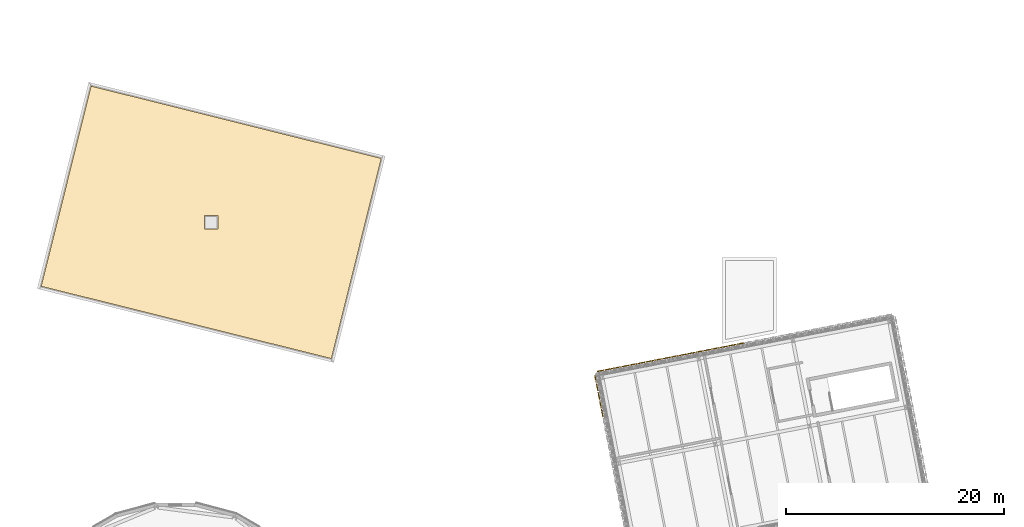
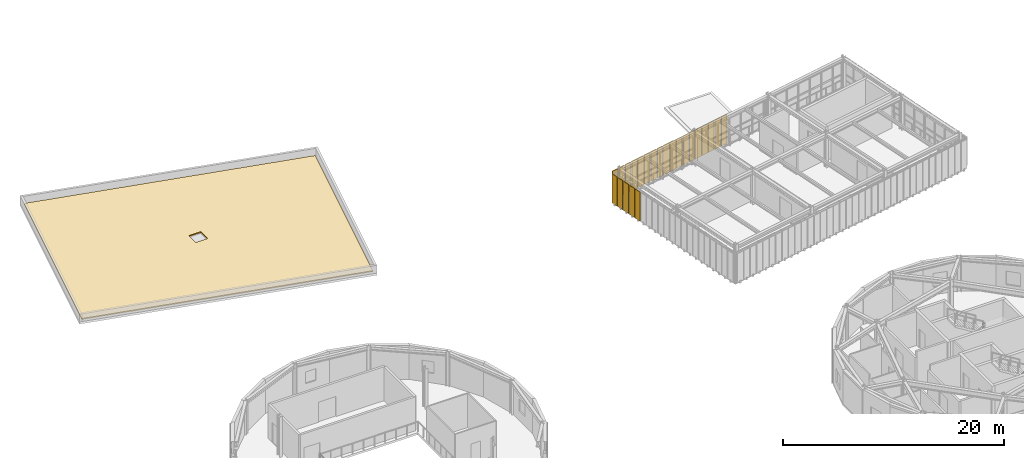
# One storey, part 42 of 44: 23 shading devices, 1 covering.
"""IFC4 building model written with IfcOpenShell, lengths in metres."""

from ifc_helpers import new_model, si_unit, direction, frame, origin, origin_2d, place, context, subcontext, project, spatial, polyline, rectangle, outline, extrude, material, layer, layer_set, type_object, element, save


model = new_model("IFC4")

# Units and contexts
model_context = context("Model", 3, precision=1e-05, world=origin(), true_north=direction((0.0, 1.0)))
body_context = subcontext(model_context, "Body", "Model", "MODEL_VIEW")
ifc_project = project(units=[si_unit("LENGTHUNIT", "METRE"), si_unit("AREAUNIT", "SQUARE_METRE"), si_unit("VOLUMEUNIT", "CUBIC_METRE"), si_unit("PLANEANGLEUNIT", "RADIAN"), si_unit("MASSUNIT", "GRAM", prefix="KILO")], contexts=[model_context])

# Site, building, storey
site_placement = place(None, origin())
site = spatial("IfcSite", under=ifc_project, at=site_placement, CompositionType="ELEMENT")
building_placement = place(site_placement, origin())
building = spatial("IfcBuilding", under=site, at=building_placement, Name="Varnklinge Art Gallery", CompositionType="ELEMENT")
storey_placement = place(building_placement, frame((0.0, 0.0, 13.679931640625)))
storey = spatial("IfcBuildingStorey", under=building, at=storey_placement, Name="L03", CompositionType="ELEMENT", Elevation=13.679931640625)

# Covering
ifc_material_1 = material(Name="EPDM & Intensive Green Roof Build-up", Category="membrane")
ifc_layer_1 = layer(ifc_material_1, 0.1201171875)
ifc_layer_set_1 = layer_set([ifc_layer_1], Name="EPDM & Intensive Green Roof Build-up")
covering_type = type_object("IfcCoveringType", Name="RFG-GRN", PredefinedType="ROOFING", material=ifc_layer_set_1)
covering_placement = place(storey_placement, origin())
element("IfcCovering", 1, at=covering_placement, inside=storey, type_object=covering_type, Name="L03 Roof Covering 03", PredefinedType="ROOFING", context=body_context, shape_type="SweptSolid", body=[
    extrude(outline(polyline([(36.0068359375, 79.516357421875), (40.5791015625, 97.85498046875), (13.9931640625, 104.483642578125), (9.4208984375, 86.14501953125), (36.0068359375, 79.516357421875)]), holes=[polyline([(25.6298828125, 91.3701171875), (25.6298828125, 92.6298828125), (24.3701171875, 92.6298828125), (24.3701171875, 91.3701171875), (25.6298828125, 91.3701171875)])]), origin(), (0.0, 0.0, 1.0), 0.1201171875),
])

# Shading devices
ifc_material_2 = material(Name="Perforated Aluminium-Precast Lattice", Category="concrete")
ifc_layer_2 = layer(ifc_material_2, 0.06005859375)
ifc_layer_set_2 = layer_set([ifc_layer_2], Name="Perforated Aluminium-Precast Lattice")
shading_device_type = type_object("IfcShadingDeviceType", Name="SHD-LAT", PredefinedType="USERDEFINED", material=ifc_layer_set_2)
for number, where, z_axis, x_axis, name in (
    (2, (73.47900390625, 80.888427734375, 0.10009765625), (0.0, 0.0, 1.0), (-0.981627183448, -0.190808995377, 0.0), "L03 Perforated Lattice Screen 3.3.1"),
    (3, (72.726318359375, 80.7421875, 0.10009765625), (0.0, 0.0, 1.0), (-0.981627183448, -0.190808995377, 0.0), "L03 Perforated Lattice Screen 3.3.2"),
    (4, (71.973876953125, 80.595947265625, 0.10009765625), (0.0, 0.0, 1.0), (-0.981627183448, -0.190808995377, 0.0), "L03 Perforated Lattice Screen 3.3.3"),
    (5, (71.22119140625, 80.44970703125, 0.10009765625), (0.0, 0.0, 1.0), (-0.981627183448, -0.190808995377, 0.0), "L03 Perforated Lattice Screen 3.3.4"),
    (6, (70.468505859375, 80.30322265625, 0.10009765625), (0.0, 0.0, 1.0), (-0.981627183448, -0.190808995377, 0.0), "L03 Perforated Lattice Screen 3.3.5"),
    (7, (69.716064453125, 80.156982421875, 0.10009765625), (0.0, 0.0, 1.0), (-0.981627183448, -0.190808995377, 0.0), "L03 Perforated Lattice Screen 3.3.6"),
    (8, (68.96337890625, 80.0107421875, 0.10009765625), (0.0, 0.0, 1.0), (-0.981627183448, -0.190808995377, 0.0), "L03 Perforated Lattice Screen 3.3.7"),
    (9, (68.210693359375, 79.864501953125, 0.10009765625), (0.0, 0.0, 1.0), (-0.981627183448, -0.190808995377, 0.0), "L03 Perforated Lattice Screen 3.3.8"),
    (10, (67.458251953125, 79.71826171875, 0.10009765625), (0.0, 0.0, 1.0), (-0.981627183448, -0.190808995377, 0.0), "L03 Perforated Lattice Screen 3.3.9"),
    (11, (66.705810546875, 79.572021484375, 0.10009765625), (0.0, 0.0, 1.0), (-0.981627183448, -0.190808995377, 0.0), "L03 Perforated Lattice Screen 3.4.1"),
    (12, (65.953125, 79.425537109375, 0.10009765625), (0.0, 0.0, 1.0), (-0.981627183448, -0.190808995377, 0.0), "L03 Perforated Lattice Screen 3.4.2"),
    (13, (65.200439453125, 79.279296875, 0.10009765625), (0.0, 0.0, 1.0), (-0.981627183448, -0.190808995377, 0.0), "L03 Perforated Lattice Screen 3.4.3"),
    (14, (64.447998046875, 79.133056640625, 0.10009765625), (0.0, 0.0, 1.0), (-0.981627183448, -0.190808995377, 0.0), "L03 Perforated Lattice Screen 3.4.4"),
    (15, (63.6953125, 78.98681640625, 0.10009765625), (0.0, 0.0, 1.0), (-0.981627183448, -0.190808995377, 0.0), "L03 Perforated Lattice Screen 3.4.5"),
    (16, (62.94287109375, 78.840576171875, 0.10009765625), (0.0, 0.0, 1.0), (-0.981627183448, -0.190808995377, 0.0), "L03 Perforated Lattice Screen 3.4.6"),
    (17, (62.190185546875, 78.694091796875, 0.10009765625), (0.0, 0.0, 1.0), (-0.981627183448, -0.190808995377, 0.0), "L03 Perforated Lattice Screen 3.4.7"),
    (18, (61.4375, 78.5478515625, 0.10009765625), (0.0, 0.0, 1.0), (-0.981627183448, -0.190808995377, 0.0), "L03 Perforated Lattice Screen 3.4.8"),
    (19, (60.68505859375, 78.401611328125, 0.10009765625), (0.0, 0.0, 1.0), (-0.981627183448, -0.190808995377, 0.0), "L03 Perforated Lattice Screen 3.4.9"),
    (20, (60.211181640625, 77.677978515625, 0.10009765625), (0.0, 0.0, 1.0), (0.190808995377, -0.981627183448, 0.0), "L03 Perforated Lattice Screen 4.1.1"),
    (21, (60.36376953125, 76.892578125, 0.10009765625), (0.0, 0.0, 1.0), (0.190808995377, -0.981627183448, 0.0), "L03 Perforated Lattice Screen 4.1.2"),
    (22, (60.516357421875, 76.107421875, 0.10009765625), (0.0, 0.0, 1.0), (0.190808995377, -0.981627183448, 0.0), "L03 Perforated Lattice Screen 4.1.3"),
    (23, (60.6689453125, 75.322021484375, 0.10009765625), (0.0, 0.0, 1.0), (0.190808995377, -0.981627183448, 0.0), "L03 Perforated Lattice Screen 4.1.4"),
    (24, (60.82177734375, 74.53662109375, 0.10009765625), (0.0, 0.0, 1.0), (0.190808995377, -0.981627183448, 0.0), "L03 Perforated Lattice Screen 4.1.5"),
):
    element("IfcShadingDevice", number, at=place(storey_placement, frame(where, z_axis=z_axis, x_axis=x_axis)), inside=storey, type_object=shading_device_type, Name=name, ObjectType="LATTICE SCREEN", PredefinedType="USERDEFINED", context=body_context, shape_type="SweptSolid", body=[
        extrude(rectangle(XDim=0.679931640625, YDim=0.06005859375, at=origin_2d()), origin(), (0.0, 0.0, 1.0), 3.2099609375),
    ])

save(model, "model.ifc")
